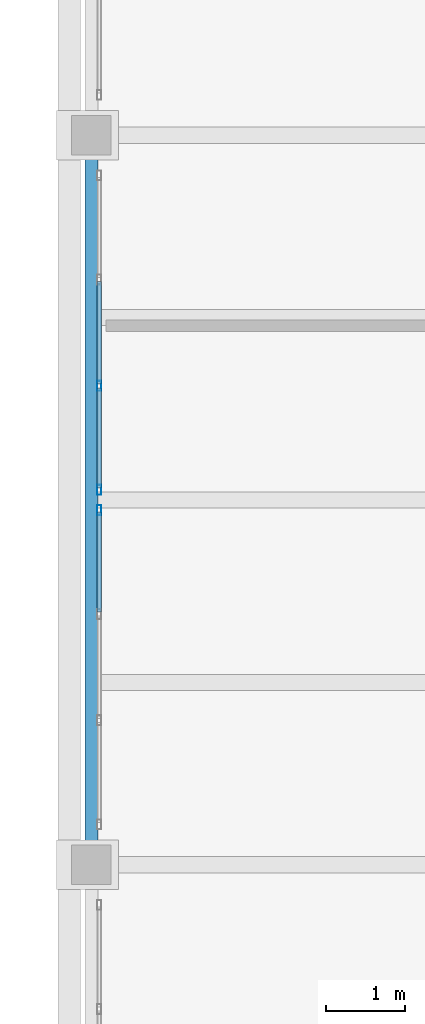
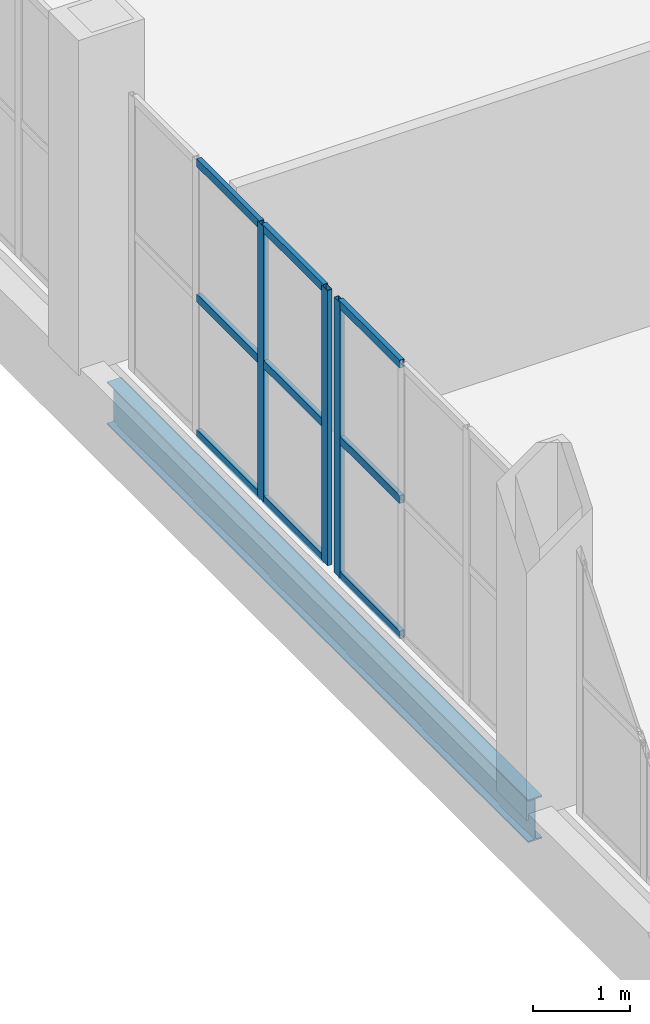
# One storey, part 13 of 26: 12 members, 1 beam, 2 elements without a shape of their own.
"""IFC4 building model written with IfcOpenShell, lengths in metres."""

from ifc_helpers import new_model, si_unit, direction, frame, origin, origin_2d, place, context, subcontext, project, spatial, hollow_rectangle, i_section, extrude, material, material_profile, profile_set, type_object, element, aggregate, save


model = new_model("IFC4")

# Units and contexts
model_context = context("Model", 3, precision=1e-05, world=origin(), true_north=direction((0.0, 1.0)))
body_context = subcontext(model_context, "Body", "Model", "MODEL_VIEW")
ifc_project = project(units=[si_unit("LENGTHUNIT", "METRE"), si_unit("AREAUNIT", "SQUARE_METRE"), si_unit("VOLUMEUNIT", "CUBIC_METRE"), si_unit("PLANEANGLEUNIT", "RADIAN"), si_unit("MASSUNIT", "GRAM", prefix="KILO")], contexts=[model_context])

# Site, building, storey
site_placement = place(None, origin())
site = spatial("IfcSite", under=ifc_project, at=site_placement, CompositionType="ELEMENT")
building_placement = place(site_placement, origin())
building = spatial("IfcBuilding", under=site, at=building_placement, Name="Caurita Quay Ferry Terminal", CompositionType="ELEMENT")
storey_placement = place(building_placement, frame((0.0, 0.0, 18.300048828125)))
storey = spatial("IfcBuildingStorey", under=building, at=storey_placement, Name="L04", CompositionType="ELEMENT", Elevation=18.300048828125)

# Beam
ifc_material_1 = material(Name="Structural steel ASTM A992 Gr. 50", Category="steel")
ifc_material_profile_1 = material_profile(ifc_material_1, i_section(OverallWidth=0.16650390625, OverallDepth=0.535888671875, WebThickness=0.01025390625, FlangeThickness=0.0166015625, FilletRadius=0.013916015625, at=origin_2d()), Name="W21X57")
ifc_profile_set_1 = profile_set([ifc_material_profile_1], Name="Structural steel ASTM A992 Gr. 50")
beam_type = type_object("IfcBeamType", Name="BM-SP-W21B", PredefinedType="SPANDREL", material=ifc_profile_set_1)
beam_placement = place(storey_placement, frame((0.0, 89.67626953125, -0.488037109375), z_axis=(0.0, 1.0, 0.0), x_axis=(-1.0, 0.0, 0.0)))
element("IfcBeam", 1, at=beam_placement, inside=storey, type_object=beam_type, Name="L04 Beam BM-V5-L04-Y-0-897", PredefinedType="SPANDREL", context=body_context, shape_type="SweptSolid", body=[
    extrude(i_section(OverallWidth=0.16650390625, OverallDepth=0.535888671875, WebThickness=0.01025390625, FlangeThickness=0.0166015625, FilletRadius=0.013916015625, at=origin_2d()), origin(), (0.0, 0.0, 1.0), 8.6474609375),
])

# Curtain wall, member
ifc_material_2 = material(Name="Laminated solar-control insulated glass", Category="glass")
curtain_wall_type = type_object("IfcCurtainWallType", Name="CW-SYS-21", PredefinedType="NOTDEFINED", material=ifc_material_2)
curtain_wall_1_placement = place(storey_placement, origin())
curtain_wall_1 = element("IfcCurtainWall", 2, at=curtain_wall_1_placement, inside=storey, type_object=curtain_wall_type, Name="VTS Watch Panoramic Curtain Wall 146", PredefinedType="NOTDEFINED")
ifc_material_3 = material(Name="Anodized aluminium 6063-T6", Category="aluminium")
ifc_material_profile_2 = material_profile(ifc_material_3, hollow_rectangle(XDim=0.054931640625, YDim=0.125, WallThickness=0.00341796875, at=origin_2d()), Name="ALU-MUL-55X125")
ifc_profile_set_2 = profile_set([ifc_material_profile_2], Name="Anodized aluminium 6063-T6")
member_type_1 = type_object("IfcMemberType", Name="CW-MUL-125", PredefinedType="MULLION", material=ifc_profile_set_2)
member_1_placement = place(storey_placement, frame((0.10009765625, 93.87255859375, 0.0), z_axis=(0.0, 0.0, 1.0), x_axis=(-1.0, 0.0, 0.0)))
member_1 = element("IfcMember", 3, at=member_1_placement, type_object=member_type_1, Name="CW-VTS-146 Mullion 4", PredefinedType="MULLION", context=body_context, shape_type="SweptSolid", body=[
    extrude(hollow_rectangle(XDim=0.054931640625, YDim=0.125, WallThickness=0.00341796875, at=origin_2d()), origin(), (0.0, 0.0, 1.0), 3.449951171875),
])

# Curtain wall, members
curtain_wall_2_placement = place(storey_placement, origin())
curtain_wall_2 = element("IfcCurtainWall", 4, at=curtain_wall_2_placement, inside=storey, type_object=curtain_wall_type, Name="VTS Watch Panoramic Curtain Wall 147", PredefinedType="NOTDEFINED")
member_2_placement = place(storey_placement, frame((0.10009765625, 94.12744140625, 0.0), z_axis=(0.0, 0.0, 1.0), x_axis=(-1.0, 0.0, 0.0)))
member_2 = element("IfcMember", 5, at=member_2_placement, type_object=member_type_1, Name="CW-VTS-147 Mullion 1", PredefinedType="MULLION", context=body_context, shape_type="SweptSolid", body=[
    extrude(hollow_rectangle(XDim=0.054931640625, YDim=0.125, WallThickness=0.00341796875, at=origin_2d()), origin(), (0.0, 0.0, 1.0), 3.449951171875),
])
member_3_placement = place(storey_placement, frame((0.10009765625, 95.43994140625, 0.0), z_axis=(0.0, 0.0, 1.0), x_axis=(-1.0, 0.0, 0.0)))
member_3 = element("IfcMember", 6, at=member_3_placement, type_object=member_type_1, Name="CW-VTS-147 Mullion 2", PredefinedType="MULLION", context=body_context, shape_type="SweptSolid", body=[
    extrude(hollow_rectangle(XDim=0.054931640625, YDim=0.125, WallThickness=0.00341796875, at=origin_2d()), origin(), (0.0, 0.0, 1.0), 3.449951171875),
])

# Member
ifc_material_profile_3 = material_profile(ifc_material_3, hollow_rectangle(XDim=0.054931640625, YDim=0.10009765625, WallThickness=0.00341796875, at=origin_2d()), Name="ALU-TRN-55X100")
ifc_profile_set_3 = profile_set([ifc_material_profile_3], Name="Anodized aluminium 6063-T6")
member_type_2 = type_object("IfcMemberType", Name="CW-TRN-100", PredefinedType="USERDEFINED", material=ifc_profile_set_3)
member_4_placement = place(storey_placement, frame((0.10009765625, 92.58544921875, 0.02734375), z_axis=(0.0, 1.0, 0.0), x_axis=(-1.0, 0.0, 0.0)))
member_4 = element("IfcMember", 7, at=member_4_placement, type_object=member_type_2, Name="CW-VTS-146 Transom 7", ObjectType="TRANSOM", PredefinedType="USERDEFINED", context=body_context, shape_type="SweptSolid", body=[
    extrude(hollow_rectangle(XDim=0.054931640625, YDim=0.10009765625, WallThickness=0.00341796875, at=origin_2d()), origin(), (0.0, 0.0, 1.0), 1.261474609375),
])

member_5_placement = place(storey_placement, frame((0.10009765625, 92.58544921875, 1.724853515625), z_axis=(0.0, 1.0, 0.0), x_axis=(-1.0, 0.0, 0.0)))
member_5 = element("IfcMember", 8, at=member_5_placement, type_object=member_type_2, Name="CW-VTS-146 Transom 8", ObjectType="TRANSOM", PredefinedType="USERDEFINED", context=body_context, shape_type="SweptSolid", body=[
    extrude(hollow_rectangle(XDim=0.054931640625, YDim=0.10009765625, WallThickness=0.00341796875, at=origin_2d()), origin(), (0.0, 0.0, 1.0), 1.261474609375),
])

member_6_placement = place(storey_placement, frame((0.10009765625, 92.58544921875, 3.42236328125), z_axis=(0.0, 1.0, 0.0), x_axis=(-1.0, 0.0, 0.0)))
member_6 = element("IfcMember", 9, at=member_6_placement, type_object=member_type_2, Name="CW-VTS-146 Transom 9", ObjectType="TRANSOM", PredefinedType="USERDEFINED", context=body_context, shape_type="SweptSolid", body=[
    extrude(hollow_rectangle(XDim=0.054931640625, YDim=0.10009765625, WallThickness=0.00341796875, at=origin_2d()), origin(), (0.0, 0.0, 1.0), 1.261474609375),
])

aggregate(curtain_wall_1, [member_1, member_4, member_5, member_6])

member_7_placement = place(storey_placement, frame((0.10009765625, 94.153076171875, 0.02734375), z_axis=(0.0, 1.0, 0.0), x_axis=(-1.0, 0.0, 0.0)))
member_7 = element("IfcMember", 10, at=member_7_placement, type_object=member_type_2, Name="CW-VTS-147 Transom 1", ObjectType="TRANSOM", PredefinedType="USERDEFINED", context=body_context, shape_type="SweptSolid", body=[
    extrude(hollow_rectangle(XDim=0.054931640625, YDim=0.10009765625, WallThickness=0.00341796875, at=origin_2d()), origin(), (0.0, 0.0, 1.0), 1.261474609375),
])

member_8_placement = place(storey_placement, frame((0.10009765625, 94.153076171875, 1.724853515625), z_axis=(0.0, 1.0, 0.0), x_axis=(-1.0, 0.0, 0.0)))
member_8 = element("IfcMember", 11, at=member_8_placement, type_object=member_type_2, Name="CW-VTS-147 Transom 2", ObjectType="TRANSOM", PredefinedType="USERDEFINED", context=body_context, shape_type="SweptSolid", body=[
    extrude(hollow_rectangle(XDim=0.054931640625, YDim=0.10009765625, WallThickness=0.00341796875, at=origin_2d()), origin(), (0.0, 0.0, 1.0), 1.261474609375),
])

member_9_placement = place(storey_placement, frame((0.10009765625, 94.153076171875, 3.42236328125), z_axis=(0.0, 1.0, 0.0), x_axis=(-1.0, 0.0, 0.0)))
member_9 = element("IfcMember", 12, at=member_9_placement, type_object=member_type_2, Name="CW-VTS-147 Transom 3", ObjectType="TRANSOM", PredefinedType="USERDEFINED", context=body_context, shape_type="SweptSolid", body=[
    extrude(hollow_rectangle(XDim=0.054931640625, YDim=0.10009765625, WallThickness=0.00341796875, at=origin_2d()), origin(), (0.0, 0.0, 1.0), 1.261474609375),
])

member_10_placement = place(storey_placement, frame((0.10009765625, 95.465576171875, 0.02734375), z_axis=(0.0, 1.0, 0.0), x_axis=(-1.0, 0.0, 0.0)))
member_10 = element("IfcMember", 13, at=member_10_placement, type_object=member_type_2, Name="CW-VTS-147 Transom 4", ObjectType="TRANSOM", PredefinedType="USERDEFINED", context=body_context, shape_type="SweptSolid", body=[
    extrude(hollow_rectangle(XDim=0.054931640625, YDim=0.10009765625, WallThickness=0.00341796875, at=origin_2d()), origin(), (0.0, 0.0, 1.0), 1.288818359375),
])

member_11_placement = place(storey_placement, frame((0.10009765625, 95.465576171875, 1.724853515625), z_axis=(0.0, 1.0, 0.0), x_axis=(-1.0, 0.0, 0.0)))
member_11 = element("IfcMember", 14, at=member_11_placement, type_object=member_type_2, Name="CW-VTS-147 Transom 5", ObjectType="TRANSOM", PredefinedType="USERDEFINED", context=body_context, shape_type="SweptSolid", body=[
    extrude(hollow_rectangle(XDim=0.054931640625, YDim=0.10009765625, WallThickness=0.00341796875, at=origin_2d()), origin(), (0.0, 0.0, 1.0), 1.288818359375),
])

member_12_placement = place(storey_placement, frame((0.10009765625, 95.465576171875, 3.42236328125), z_axis=(0.0, 1.0, 0.0), x_axis=(-1.0, 0.0, 0.0)))
member_12 = element("IfcMember", 15, at=member_12_placement, type_object=member_type_2, Name="CW-VTS-147 Transom 6", ObjectType="TRANSOM", PredefinedType="USERDEFINED", context=body_context, shape_type="SweptSolid", body=[
    extrude(hollow_rectangle(XDim=0.054931640625, YDim=0.10009765625, WallThickness=0.00341796875, at=origin_2d()), origin(), (0.0, 0.0, 1.0), 1.288818359375),
])

aggregate(curtain_wall_2, [member_2, member_3, member_7, member_8, member_9, member_10, member_11, member_12])

save(model, "model.ifc")
